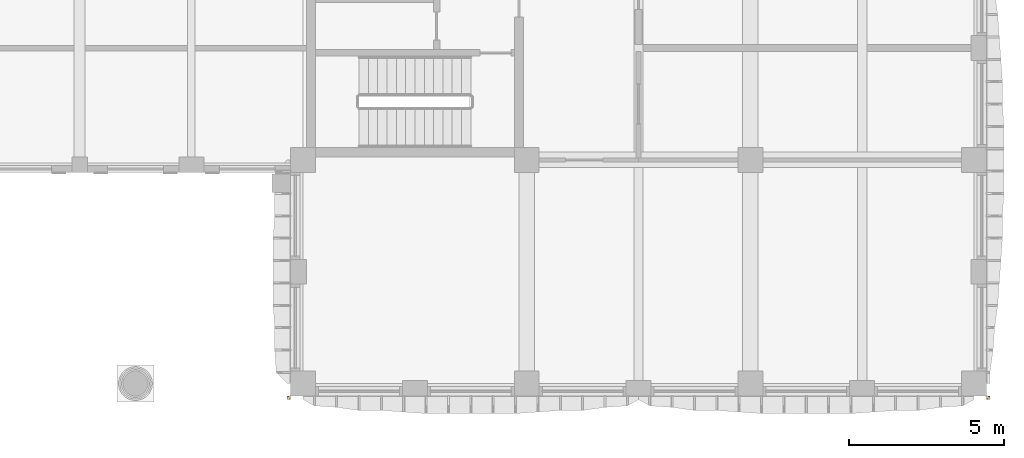
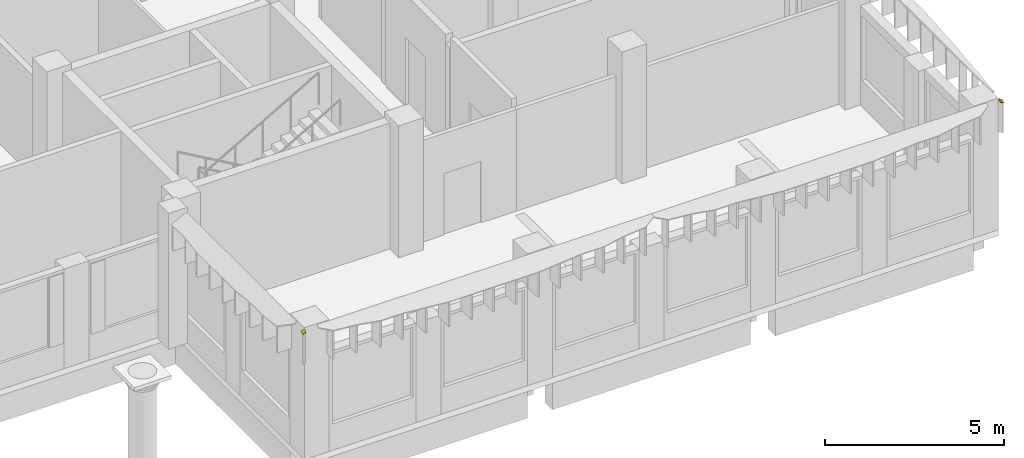
# One storey, part 57 of 59: 2 shading devices.
"""IFC4 building model written with IfcOpenShell, lengths in metres."""

from ifc_helpers import new_model, si_unit, direction, frame, origin, place, context, subcontext, project, spatial, polyline, outline, extrude, material, layer, layer_set, type_object, element, save


model = new_model("IFC4")

# Units and contexts
model_context = context("Model", 3, precision=1e-05, world=origin(), true_north=direction((0.0, 1.0)))
body_context = subcontext(model_context, "Body", "Model", "MODEL_VIEW")
ifc_project = project(units=[si_unit("LENGTHUNIT", "METRE"), si_unit("AREAUNIT", "SQUARE_METRE"), si_unit("VOLUMEUNIT", "CUBIC_METRE"), si_unit("PLANEANGLEUNIT", "RADIAN"), si_unit("MASSUNIT", "GRAM", prefix="KILO")], contexts=[model_context])

# Site, building, storey
site_placement = place(None, origin())
site = spatial("IfcSite", under=ifc_project, at=site_placement, CompositionType="ELEMENT")
building_placement = place(site_placement, origin())
building = spatial("IfcBuilding", under=site, at=building_placement, Name="Ussher Court Research Institute", CompositionType="ELEMENT")
storey_placement = place(building_placement, frame((0.0, 0.0, 5.39990234375)))
storey = spatial("IfcBuildingStorey", under=building, at=storey_placement, Name="L01", CompositionType="ELEMENT", Elevation=5.39990234375)

# Shading devices
ifc_material = material(Name="Bronze anodised aluminium", Category="aluminium")
ifc_layer = layer(ifc_material, 0.0400390625)
ifc_layer_set = layer_set([ifc_layer], Name="Bronze anodised aluminium")
shading_device_type = type_object("IfcShadingDeviceType", Name="Brim visor sheet 40 mm canted 26 deg wet", PredefinedType="USERDEFINED", material=ifc_layer_set)
for number, where, z_axis, x_axis, name in (
    (1, (104.216064453125, 3.583984375, 4.48291015625), (0.400847757571, -0.400847757571, 0.823797396512), (-0.000362285341, -0.899269394429, -0.437395044544), "Brim visor sheet BR1 L01"),
    (2, (81.783935546875, 3.583984375, 4.48291015625), (-0.400847757571, -0.400847757571, 0.823797396512), (-0.899269394429, 0.000362285341, -0.437395044544), "Brim visor sheet BR1 L01"),
):
    element("IfcShadingDevice", number, at=place(storey_placement, frame(where, z_axis=z_axis, x_axis=x_axis)), inside=storey, type_object=shading_device_type, Name=name, ObjectType="BRIM", PredefinedType="USERDEFINED", context=body_context, shape_type="SweptSolid", body=[
        extrude(outline(polyline([(0.0, 0.0), (0.11126515272958254, 0.0), (0.13258606872546647, 0.10931209908468126), (0.021214130096336967, 0.10922405822982874), (0.0, 0.0)])), origin(), (0.0, 0.0, -1.0), 0.0400390625),
    ])

save(model, "model.ifc")
